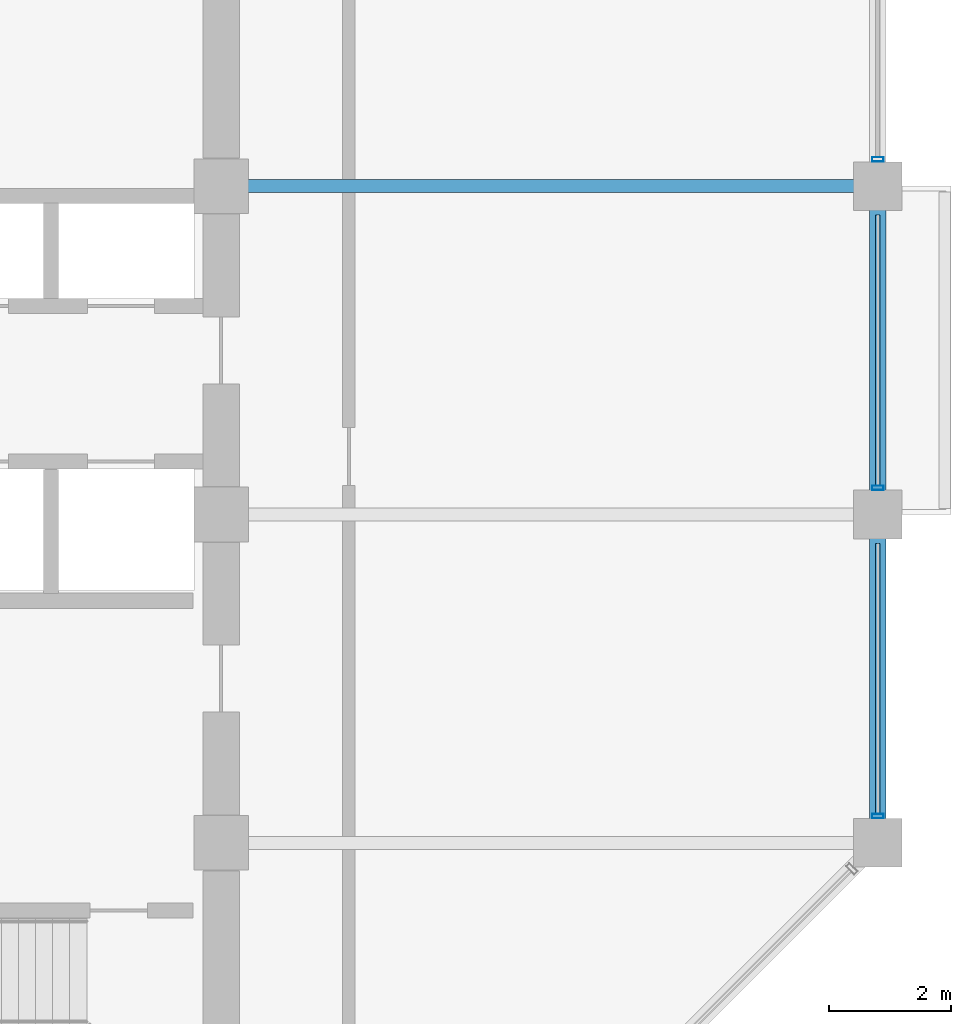
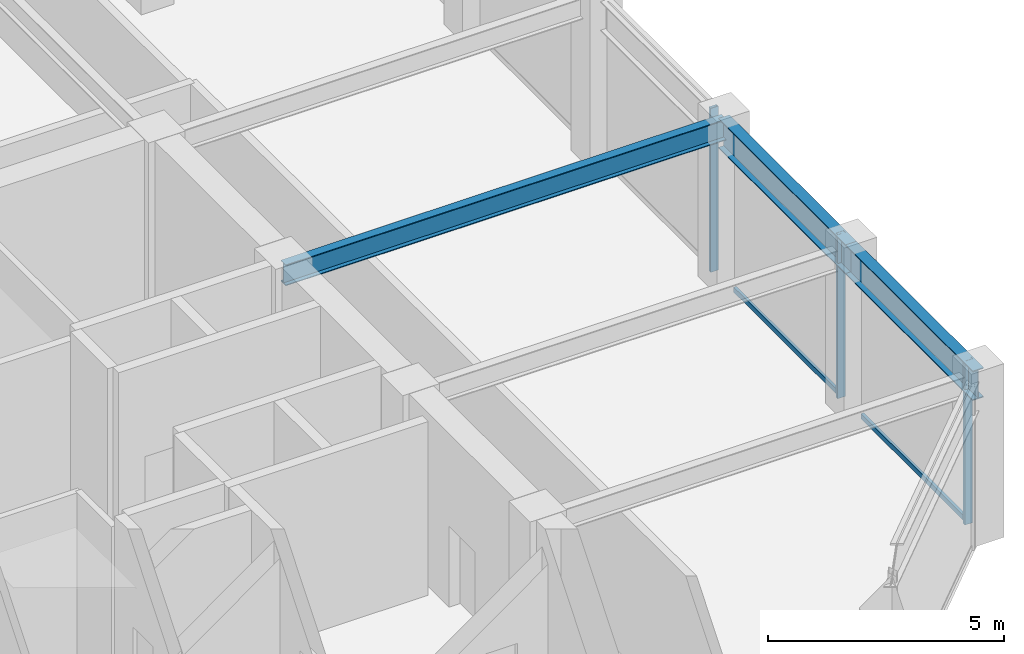
# One storey, part 12 of 28: 5 members, 3 beams, 1 element without a shape of its own.
"""IFC4 building model written with IfcOpenShell, lengths in metres."""

from ifc_helpers import new_model, si_unit, direction, frame, origin, origin_2d, place, context, subcontext, project, spatial, hollow_rectangle, i_section, extrude, material, layer, layer_set, material_profile, profile_set, type_object, element, aggregate, save


model = new_model("IFC4")

# Units and contexts
model_context = context("Model", 3, precision=1e-05, world=origin(), true_north=direction((0.0, 1.0)))
body_context = subcontext(model_context, "Body", "Model", "MODEL_VIEW")
ifc_project = project(units=[si_unit("LENGTHUNIT", "METRE"), si_unit("AREAUNIT", "SQUARE_METRE"), si_unit("VOLUMEUNIT", "CUBIC_METRE"), si_unit("PLANEANGLEUNIT", "RADIAN"), si_unit("MASSUNIT", "GRAM", prefix="KILO")], contexts=[model_context])

# Site, building, storey
site_placement = place(None, origin())
site = spatial("IfcSite", under=ifc_project, at=site_placement, CompositionType="ELEMENT")
building_placement = place(site_placement, origin())
building = spatial("IfcBuilding", under=site, at=building_placement, Name="Surkhivell Harbour Commons", CompositionType="ELEMENT")
storey_placement = place(building_placement, frame((0.0, 0.0, 249.75)))
storey = spatial("IfcBuildingStorey", under=building, at=storey_placement, Name="L65", CompositionType="ELEMENT", Elevation=249.75)

# Beams
ifc_material_1 = material(Name="Steel S355", Category="steel")
ifc_material_profile_1 = material_profile(ifc_material_1, i_section(OverallWidth=0.2119140625, OverallDepth=0.5439453125, WebThickness=0.0126953125, FlangeThickness=0.021240234375, at=origin_2d()), Name="UB533x210x122")
ifc_profile_set_1 = profile_set([ifc_material_profile_1], Name="Steel S355")
beam_type_1 = type_object("IfcBeamType", Name="BM-GRD-533A", PredefinedType="BEAM", material=ifc_profile_set_1)
beam_placement = place(storey_placement, frame((10.800048828125, 5.39990234375, 3.97802734375), z_axis=(1.0, 0.0, 0.0), x_axis=(0.0, 1.0, 0.0)))
element("IfcBeam", 1, at=beam_placement, inside=storey, type_object=beam_type_1, Name="L65 Floor Girder (10.8,5.4)", PredefinedType="BEAM", context=body_context, shape_type="SweptSolid", body=[
    extrude(i_section(OverallWidth=0.2119140625, OverallDepth=0.5439453125, WebThickness=0.0126953125, FlangeThickness=0.021240234375, at=origin_2d()), origin(), (0.0, 0.0, 1.0), 10.800048828125),
])
ifc_material_profile_2 = material_profile(ifc_material_1, i_section(OverallWidth=0.26806640625, OverallDepth=0.77001953125, WebThickness=0.015625, FlangeThickness=0.025390625, at=origin_2d()), Name="UB762x267x197")
ifc_profile_set_2 = profile_set([ifc_material_profile_2], Name="Steel S355")
beam_type_2 = type_object("IfcBeamType", Name="BM-SPN-762", PredefinedType="SPANDREL", material=ifc_profile_set_2)
for number, where, z_axis, x_axis, name in (
    (2, (21.60009765625, -5.39990234375, 3.864990234375), (0.0, 1.0, 0.0), (-1.0, 0.0, 0.0), "L65 Tube Spandrel (21.6,-5.4)"),
    (3, (21.60009765625, 0.0, 3.864990234375), (0.0, 1.0, 0.0), (-1.0, 0.0, 0.0), "L65 Tube Spandrel (21.6,0.0)"),
):
    element("IfcBeam", number, at=place(storey_placement, frame(where, z_axis=z_axis, x_axis=x_axis)), inside=storey, type_object=beam_type_2, Name=name, PredefinedType="SPANDREL", context=body_context, shape_type="SweptSolid", body=[
        extrude(i_section(OverallWidth=0.26806640625, OverallDepth=0.77001953125, WebThickness=0.015625, FlangeThickness=0.025390625, at=origin_2d()), origin(), (0.0, 0.0, 1.0), 5.39990234375),
    ])

# Curtain wall, members
ifc_material_2 = material(Name="Anodised pale-metal aluminium and insulated glazing", Category="aluminium")
ifc_layer = layer(ifc_material_2, 0.18994140625)
ifc_layer_set = layer_set([ifc_layer], Name="Anodised pale-metal aluminium and insulated glazing")
curtain_wall_type = type_object("IfcCurtainWallType", Name="CW-SYS-Z3", PredefinedType="NOTDEFINED", material=ifc_layer_set)
curtain_wall_placement = place(storey_placement, origin())
curtain_wall = element("IfcCurtainWall", 4, at=curtain_wall_placement, inside=storey, type_object=curtain_wall_type, Name="L65 Curtain Wall CW-L65-E02", PredefinedType="NOTDEFINED")
ifc_material_3 = material(Name="Anodised pale-metal aluminium alloy 6063-T6", Category="aluminium")
ifc_material_profile_3 = material_profile(ifc_material_3, hollow_rectangle(XDim=0.074951171875, YDim=0.18994140625, WallThickness=0.00390625, at=origin_2d()), Name="ALU-MULL-75x190")
ifc_profile_set_3 = profile_set([ifc_material_profile_3], Name="Anodised pale-metal aluminium alloy 6063-T6")
member_type_1 = type_object("IfcMemberType", Name="CWM-190", PredefinedType="MULLION", material=ifc_profile_set_3)
member_1_placement = place(storey_placement, frame((21.60009765625, -4.96044921875, 0.0), z_axis=(0.0, 0.0, 1.0), x_axis=(0.0, 1.0, 0.0)))
member_1 = element("IfcMember", 5, at=member_1_placement, type_object=member_type_1, Name="CW-Z3 mullion 1", PredefinedType="MULLION", context=body_context, shape_type="SweptSolid", body=[
    extrude(hollow_rectangle(XDim=0.074951171875, YDim=0.18994140625, WallThickness=0.00390625, at=origin_2d()), origin(), (0.0, 0.0, 1.0), 4.25),
])
member_2_placement = place(storey_placement, frame((21.60009765625, 0.439453125, 0.0), z_axis=(0.0, 0.0, 1.0), x_axis=(0.0, 1.0, 0.0)))
member_2 = element("IfcMember", 6, at=member_2_placement, type_object=member_type_1, Name="CW-Z3 mullion 2", PredefinedType="MULLION", context=body_context, shape_type="SweptSolid", body=[
    extrude(hollow_rectangle(XDim=0.074951171875, YDim=0.18994140625, WallThickness=0.00390625, at=origin_2d()), origin(), (0.0, 0.0, 1.0), 4.25),
])
member_3_placement = place(storey_placement, frame((21.60009765625, 5.839599609375, 0.0), z_axis=(0.0, 0.0, 1.0), x_axis=(0.0, 1.0, 0.0)))
member_3 = element("IfcMember", 7, at=member_3_placement, type_object=member_type_1, Name="CW-Z3 mullion 3", PredefinedType="MULLION", context=body_context, shape_type="SweptSolid", body=[
    extrude(hollow_rectangle(XDim=0.074951171875, YDim=0.18994140625, WallThickness=0.00390625, at=origin_2d()), origin(), (0.0, 0.0, 1.0), 4.25),
])
ifc_material_4 = material(Name="Champagne anodised aluminium alloy 6063-T6", Category="aluminium")
ifc_material_profile_4 = material_profile(ifc_material_4, hollow_rectangle(XDim=0.070068359375, YDim=0.1298828125, WallThickness=0.00341796875, at=origin_2d()), Name="ALU-TRAN-70x130")
ifc_profile_set_4 = profile_set([ifc_material_profile_4], Name="Champagne anodised aluminium alloy 6063-T6")
member_type_2 = type_object("IfcMemberType", Name="CWT-130", PredefinedType="USERDEFINED", material=ifc_profile_set_4)
member_4_placement = place(storey_placement, frame((21.60009765625, -4.923095703125, 0.06494140625), z_axis=(0.0, 1.0, 0.0), x_axis=(-1.0, 0.0, 0.0)))
member_4 = element("IfcMember", 8, at=member_4_placement, type_object=member_type_2, Name="CW-Z3 transom 1.1", ObjectType="TRANSOM", PredefinedType="USERDEFINED", context=body_context, shape_type="SweptSolid", body=[
    extrude(hollow_rectangle(XDim=0.070068359375, YDim=0.1298828125, WallThickness=0.00341796875, at=origin_2d()), origin(), (0.0, 0.0, 1.0), 4.446044921875),
])
member_5_placement = place(storey_placement, frame((21.60009765625, 0.47705078125, 0.06494140625), z_axis=(0.0, 1.0, 0.0), x_axis=(-1.0, 0.0, 0.0)))
member_5 = element("IfcMember", 9, at=member_5_placement, type_object=member_type_2, Name="CW-Z3 transom 2.1", ObjectType="TRANSOM", PredefinedType="USERDEFINED", context=body_context, shape_type="SweptSolid", body=[
    extrude(hollow_rectangle(XDim=0.070068359375, YDim=0.1298828125, WallThickness=0.00341796875, at=origin_2d()), origin(), (0.0, 0.0, 1.0), 4.446044921875),
])
aggregate(curtain_wall, [member_1, member_4, member_2, member_5, member_3])

save(model, "model.ifc")
